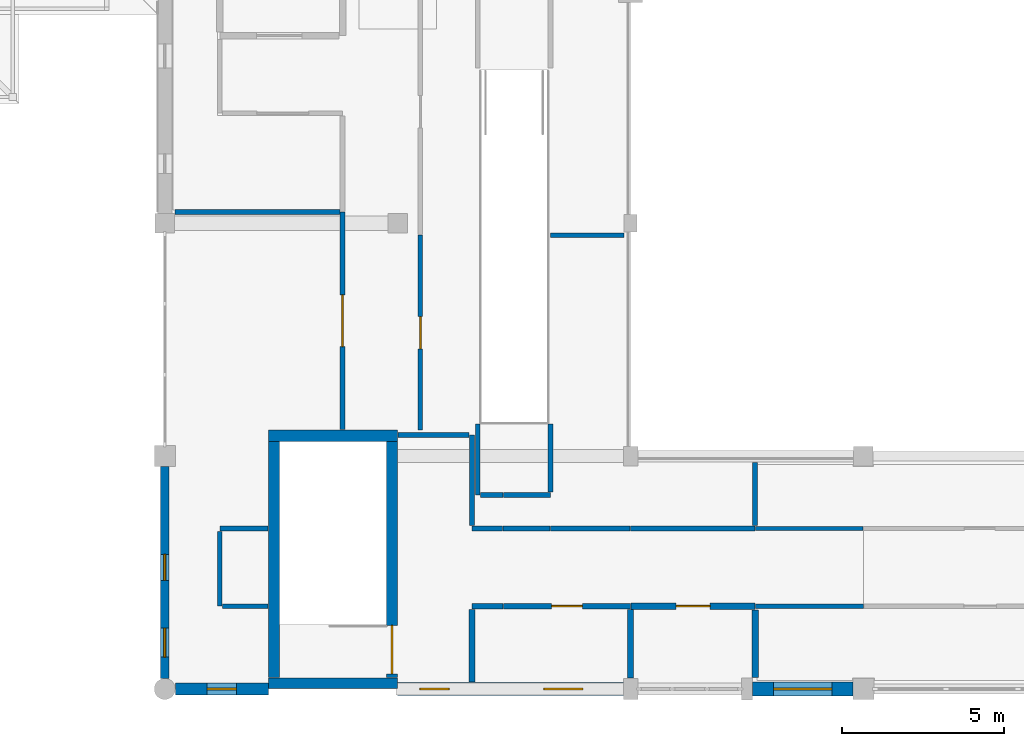
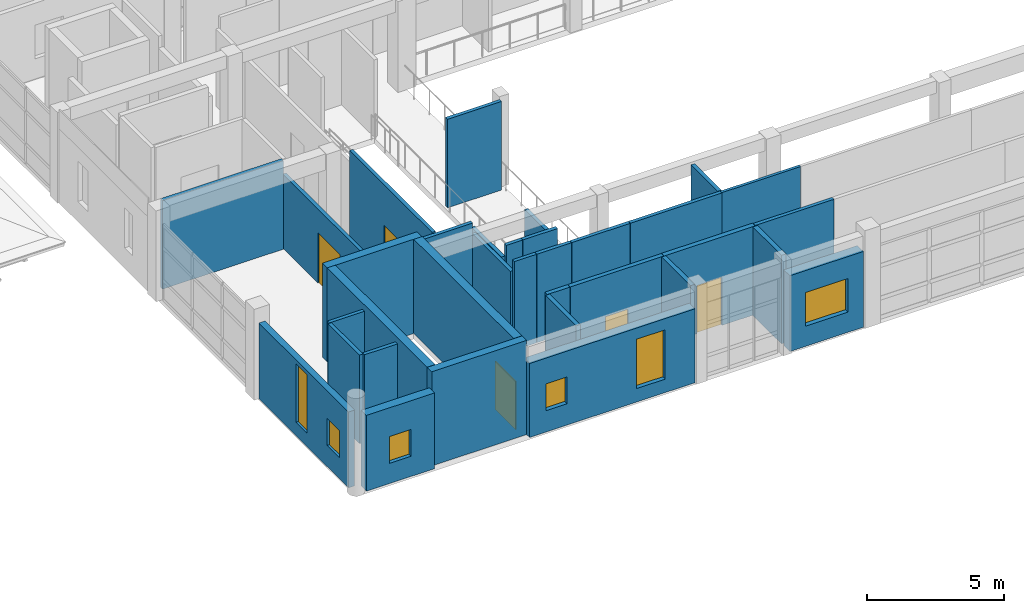
# One storey, part 73 of 110: 34 walls, 6 windows, 5 doors, 11 openings.
"""IFC4 building model written with IfcOpenShell, lengths in metres."""

from ifc_helpers import new_model, si_unit, direction, frame, frame_2d, origin, place, context, subcontext, project, spatial, rectangle, extrude, material, layer, layer_set, type_object, element, fill, save


model = new_model("IFC4")

# Units and contexts
model_context = context("Model", 3, precision=1e-05, world=origin(), true_north=direction((0.0, 1.0)))
body_context = subcontext(model_context, "Body", "Model", "MODEL_VIEW")
ifc_project = project(units=[si_unit("LENGTHUNIT", "METRE"), si_unit("AREAUNIT", "SQUARE_METRE"), si_unit("VOLUMEUNIT", "CUBIC_METRE"), si_unit("PLANEANGLEUNIT", "RADIAN"), si_unit("MASSUNIT", "GRAM", prefix="KILO")], contexts=[model_context])

# Site, building, storey
site_placement = place(None, origin())
site = spatial("IfcSite", under=ifc_project, at=site_placement, CompositionType="ELEMENT")
building_placement = place(site_placement, origin())
building = spatial("IfcBuilding", under=site, at=building_placement, Name="Steenspoor Specialist Clinic", CompositionType="ELEMENT")
storey_placement = place(building_placement, frame((0.0, 0.0, 4.800048828125)))
storey = spatial("IfcBuildingStorey", under=building, at=storey_placement, Name="L01", CompositionType="ELEMENT", Elevation=4.800048828125)

# Wall, opening, window
ifc_material_1 = material(Name="Extruded clay brick masonry", Category="masonry")
ifc_layer_1 = layer(ifc_material_1, 0.3798828125)
ifc_layer_set_1 = layer_set([ifc_layer_1], Name="Extruded clay brick masonry")
wall_type_1 = type_object("IfcWallType", Name="W-BRICK-380", PredefinedType="USERDEFINED", material=ifc_layer_set_1)
wall_1_placement = place(storey_placement, frame((48.39990234375, 13.050048828125, 0.0), z_axis=(0.0, 0.0, 1.0), x_axis=(-1.0, 0.0, 0.0)))
wall_1 = element("IfcWall", 1, at=wall_1_placement, inside=storey, type_object=wall_type_1, Name="Exterior Brick Wall EW-V1-L01-0025", ObjectType="CAVITY VENEER", PredefinedType="USERDEFINED", context=body_context, shape_type="SweptSolid", body=[
    extrude(rectangle(XDim=2.875, YDim=0.3798828125, at=frame_2d((1.4375, 0.0))), origin(), (0.0, 0.0, 1.0), 3.3798828125),
])
opening_1_placement = place(wall_1_placement, frame((0.987548828125, 0.0, 0.89990234375)))
opening_1 = element("IfcOpeningElement", 2, at=opening_1_placement, cuts=wall_1, Name="Opening WN-21", PredefinedType="OPENING", context=body_context, shape_type="SweptSolid", body=[
    extrude(rectangle(XDim=0.89990234375, YDim=1.199951171875, at=frame_2d((0.449951171875, 0.60009765625))), frame((0.0, 0.199951171875, 0.0), z_axis=(0.0, -1.0, 0.0), x_axis=(1.0, 0.0, 0.0)), (0.0, 0.0, 1.0), 0.39990234375),
])
ifc_material_2 = material(Name="Thermally broken aluminium and low-emissivity glass", Category="aluminium")
window_type_1 = type_object("IfcWindowType", Name="WN-EXT-090X120", PartitioningType="SINGLE_PANEL", PredefinedType="WINDOW", material=ifc_material_2)
window_1_placement = place(opening_1_placement, origin())
window_1 = element("IfcWindow", 3, at=window_1_placement, inside=storey, type_object=window_type_1, Name="Window 0029", OverallHeight=1.199951171875, OverallWidth=0.89990234375, PartitioningType="SINGLE_PANEL", PredefinedType="WINDOW", context=body_context, shape_type="SweptSolid", body=[
    extrude(rectangle(XDim=0.89990234375, YDim=1.199951171875, at=frame_2d((0.449951171875, 0.60009765625))), frame((0.0, 0.030029296875, 0.0), z_axis=(0.0, -1.0, 0.0), x_axis=(1.0, 0.0, 0.0)), (0.0, 0.0, 1.0), 0.06005859375),
])
fill(opening_1, window_1)

# Wall, openings, windows
ifc_layer_2 = layer(ifc_material_1, 0.409912109375)
ifc_layer_set_2 = layer_set([ifc_layer_2], Name="Extruded clay brick masonry")
wall_type_2 = type_object("IfcWallType", Name="W-BRICK-410", PredefinedType="USERDEFINED", material=ifc_layer_set_2)
wall_2_placement = place(storey_placement, frame((59.375, 13.050048828125, 0.0), z_axis=(0.0, 0.0, 1.0), x_axis=(-1.0, 0.0, 0.0)))
wall_2 = element("IfcWall", 4, at=wall_2_placement, inside=storey, type_object=wall_type_2, Name="Exterior Brick Wall EW-V1-L01-0024", ObjectType="CAVITY VENEER", PredefinedType="USERDEFINED", context=body_context, shape_type="SweptSolid", body=[
    extrude(rectangle(XDim=6.97509765625, YDim=0.409912109375, at=frame_2d((3.487548828125, 0.0))), origin(), (0.0, 0.0, 1.0), 3.300048828125),
])
opening_2_placement = place(wall_2_placement, frame((1.25244140625, 0.0, 0.60009765625)))
opening_2 = element("IfcOpeningElement", 5, at=opening_2_placement, cuts=wall_2, Name="Opening WN-15", PredefinedType="OPENING", context=body_context, shape_type="SweptSolid", body=[
    extrude(rectangle(XDim=1.199951171875, YDim=2.199951171875, at=frame_2d((0.60009765625, 1.10009765625))), frame((0.0, 0.21484375, 0.0), z_axis=(0.0, -1.0, 0.0), x_axis=(1.0, 0.0, 0.0)), (0.0, 0.0, 1.0), 0.429931640625),
])
opening_3_placement = place(wall_2_placement, frame((5.385009765625, 0.0, 0.949951171875)))
opening_3 = element("IfcOpeningElement", 6, at=opening_3_placement, cuts=wall_2, Name="Opening WN-21", PredefinedType="OPENING", context=body_context, shape_type="SweptSolid", body=[
    extrude(rectangle(XDim=0.89990234375, YDim=1.199951171875, at=frame_2d((0.449951171875, 0.60009765625))), frame((0.0, 0.21484375, 0.0), z_axis=(0.0, -1.0, 0.0), x_axis=(1.0, 0.0, 0.0)), (0.0, 0.0, 1.0), 0.429931640625),
])
window_2_placement = place(opening_3_placement, origin())
window_2 = element("IfcWindow", 7, at=window_2_placement, inside=storey, type_object=window_type_1, Name="Window 0028", OverallHeight=1.199951171875, OverallWidth=0.89990234375, PartitioningType="SINGLE_PANEL", PredefinedType="WINDOW", context=body_context, shape_type="SweptSolid", body=[
    extrude(rectangle(XDim=0.89990234375, YDim=1.199951171875, at=frame_2d((0.449951171875, 0.60009765625))), frame((0.0, 0.030029296875, 0.0), z_axis=(0.0, -1.0, 0.0), x_axis=(1.0, 0.0, 0.0)), (0.0, 0.0, 1.0), 0.06005859375),
])
fill(opening_3, window_2)
window_type_2 = type_object("IfcWindowType", Name="WN-EXT-120X220", PartitioningType="SINGLE_PANEL", PredefinedType="WINDOW", material=ifc_material_2)
window_3_placement = place(opening_2_placement, origin())
window_3 = element("IfcWindow", 8, at=window_3_placement, inside=storey, type_object=window_type_2, Name="Window 0027", OverallHeight=2.199951171875, OverallWidth=1.199951171875, PartitioningType="SINGLE_PANEL", PredefinedType="WINDOW", context=body_context, shape_type="SweptSolid", body=[
    extrude(rectangle(XDim=1.199951171875, YDim=2.199951171875, at=frame_2d((0.60009765625, 1.10009765625))), frame((0.0, 0.030029296875, 0.0), z_axis=(0.0, -1.0, 0.0), x_axis=(1.0, 0.0, 0.0)), (0.0, 0.0, 1.0), 0.06005859375),
])
fill(opening_2, window_3)

# Wall, opening, window
ifc_layer_3 = layer(ifc_material_1, 0.43994140625)
ifc_layer_set_3 = layer_set([ifc_layer_3], Name="Extruded clay brick masonry")
wall_type_3 = type_object("IfcWallType", Name="W-BRICK-440", PredefinedType="USERDEFINED", material=ifc_layer_set_3)
wall_3_placement = place(storey_placement, frame((66.47509765625, 13.050048828125, 0.0), z_axis=(0.0, 0.0, 1.0), x_axis=(-1.0, 0.0, 0.0)))
wall_3 = element("IfcWall", 9, at=wall_3_placement, inside=storey, type_object=wall_type_3, Name="Exterior Brick Wall EW-V1-L01-0023", ObjectType="CAVITY VENEER", PredefinedType="USERDEFINED", context=body_context, shape_type="SweptSolid", body=[
    extrude(rectangle(XDim=3.10498046875, YDim=0.43994140625, at=frame_2d((1.552490234375, 0.0))), origin(), (0.0, 0.0, 1.0), 3.3798828125),
])
opening_4_placement = place(wall_3_placement, frame((0.652587890625, 0.0, 0.89990234375)))
opening_4 = element("IfcOpeningElement", 10, at=opening_4_placement, cuts=wall_3, Name="Opening WN-13", PredefinedType="OPENING", context=body_context, shape_type="SweptSolid", body=[
    extrude(rectangle(XDim=1.800048828125, YDim=1.5, at=frame_2d((0.89990234375, 0.75))), frame((0.0, 0.22998046875, 0.0), z_axis=(0.0, -1.0, 0.0), x_axis=(1.0, 0.0, 0.0)), (0.0, 0.0, 1.0), 0.4599609375),
])
window_type_3 = type_object("IfcWindowType", Name="WN-EXT-180X150", PartitioningType="SINGLE_PANEL", PredefinedType="WINDOW", material=ifc_material_2)
window_4_placement = place(opening_4_placement, origin())
window_4 = element("IfcWindow", 11, at=window_4_placement, inside=storey, type_object=window_type_3, Name="Window 0026", OverallHeight=1.5, OverallWidth=1.800048828125, PartitioningType="SINGLE_PANEL", PredefinedType="WINDOW", context=body_context, shape_type="SweptSolid", body=[
    extrude(rectangle(XDim=1.800048828125, YDim=1.5, at=frame_2d((0.89990234375, 0.75))), frame((0.0, 0.030029296875, 0.0), z_axis=(0.0, -1.0, 0.0), x_axis=(1.0, 0.0, 0.0)), (0.0, 0.0, 1.0), 0.06005859375),
])
fill(opening_4, window_4)

# Wall, opening, door
ifc_material_3 = material(Name="Gypsum acoustic clinical partition", Category="gypsum")
ifc_layer_4 = layer(ifc_material_3, 0.14990234375)
ifc_layer_set_4 = layer_set([ifc_layer_4], Name="Gypsum acoustic clinical partition")
wall_type_4 = type_object("IfcWallType", Name="W-CLIN-150", PredefinedType="PARTITIONING", material=ifc_layer_set_4)
wall_4_placement = place(storey_placement, frame((50.699951171875, 21.06494140625, 0.0), z_axis=(0.0, 0.0, 1.0), x_axis=(0.0, 1.0, 0.0)))
wall_4 = element("IfcWall", 12, at=wall_4_placement, inside=storey, type_object=wall_type_4, Name="Interior Partition IW-V1-L01-0798", PredefinedType="PARTITIONING", context=body_context, shape_type="SweptSolid", body=[
    extrude(rectangle(XDim=6.735107421875, YDim=0.14990234375, at=frame_2d((3.36767578125, 0.0))), origin(), (0.0, 0.0, 1.0), 3.300048828125),
])
opening_5_placement = place(wall_4_placement, frame((2.5673828125, 0.0, 0.0)))
opening_5 = element("IfcOpeningElement", 13, at=opening_5_placement, cuts=wall_4, Name="Opening D0050", PredefinedType="OPENING", context=body_context, shape_type="SweptSolid", body=[
    extrude(rectangle(XDim=1.60009765625, YDim=2.25, at=frame_2d((0.800048828125, 1.125))), frame((0.0, 0.0849609375, 0.0), z_axis=(0.0, -1.0, 0.0), x_axis=(1.0, 0.0, 0.0)), (0.0, 0.0, 1.0), 0.169921875),
])
ifc_material_4 = material(Name="Hygienic HPL clinical timber door", Category="wood")
door_type_1 = type_object("IfcDoorType", Name="DT-PROC-160X225", OperationType="NOTDEFINED", PredefinedType="DOOR", material=ifc_material_4)
door_1_placement = place(opening_5_placement, origin())
door_1 = element("IfcDoor", 14, at=door_1_placement, inside=storey, type_object=door_type_1, Name="Clinical Door D0050", OperationType="SINGLE_SWING_LEFT", OverallHeight=2.25, OverallWidth=1.60009765625, PredefinedType="DOOR", context=body_context, shape_type="SweptSolid", body=[
    extrude(rectangle(XDim=1.60009765625, YDim=2.25, at=frame_2d((0.800048828125, 1.125))), frame((0.0, 0.02490234375, 0.0), z_axis=(0.0, -1.0, 0.0), x_axis=(1.0, 0.0, 0.0)), (0.0, 0.0, 1.0), 0.050048828125),
])
fill(opening_5, door_1)

# Walls
wall_5_placement = place(storey_placement, frame((63.465087890625, 15.610107421875, 0.0), z_axis=(0.0, 0.0, 1.0), x_axis=(1.0, 0.0, 0.0)))
element("IfcWall", 15, at=wall_5_placement, inside=storey, type_object=wall_type_4, Name="Interior Partition IW-V1-L01-0828", PredefinedType="PARTITIONING", context=body_context, shape_type="SweptSolid", body=[
    extrude(rectangle(XDim=3.3349609375, YDim=0.14990234375, at=frame_2d((1.66748046875, 0.0))), origin(), (0.0, 0.0, 1.0), 3.949951171875),
])
wall_6_placement = place(storey_placement, frame((54.875, 19.050048828125, 0.0), z_axis=(0.0, 0.0, 1.0), x_axis=(0.0, 1.0, 0.0)))
element("IfcWall", 16, at=wall_6_placement, inside=storey, type_object=wall_type_4, Name="Interior Partition IW-V1-L01-0832", PredefinedType="PARTITIONING", context=body_context, shape_type="SweptSolid", body=[
    extrude(rectangle(XDim=2.199951171875, YDim=0.14990234375, at=frame_2d((1.10009765625, 0.0))), origin(), (0.0, 0.0, 1.0), 3.43994140625),
])
wall_7_placement = place(storey_placement, frame((59.60009765625, 18.010009765625, 0.0), z_axis=(0.0, 0.0, 1.0), x_axis=(1.0, 0.0, 0.0)))
element("IfcWall", 17, at=wall_7_placement, inside=storey, type_object=wall_type_4, Name="Interior Partition IW-V1-L01-0833", PredefinedType="PARTITIONING", context=body_context, shape_type="SweptSolid", body=[
    extrude(rectangle(XDim=3.849853515625, YDim=0.14990234375, at=frame_2d((1.9248046875, 0.0))), origin(), (0.0, 0.0, 1.0), 3.949951171875),
])
wall_8_placement = place(storey_placement, frame((57.125, 18.010009765625, 0.0), z_axis=(0.0, 0.0, 1.0), x_axis=(1.0, 0.0, 0.0)))
element("IfcWall", 18, at=wall_8_placement, inside=storey, type_object=wall_type_4, Name="Interior Partition IW-V1-L01-0834", PredefinedType="PARTITIONING", context=body_context, shape_type="SweptSolid", body=[
    extrude(rectangle(XDim=2.4599609375, YDim=0.14990234375, at=frame_2d((1.22998046875, 0.0))), origin(), (0.0, 0.0, 1.0), 3.949951171875),
])
wall_9_placement = place(storey_placement, frame((55.64990234375, 18.010009765625, 0.0), z_axis=(0.0, 0.0, 1.0), x_axis=(1.0, 0.0, 0.0)))
element("IfcWall", 19, at=wall_9_placement, inside=storey, type_object=wall_type_4, Name="Interior Partition IW-V1-L01-0835", PredefinedType="PARTITIONING", context=body_context, shape_type="SweptSolid", body=[
    extrude(rectangle(XDim=1.460205078125, YDim=0.14990234375, at=frame_2d((0.72998046875, 0.0))), origin(), (0.0, 0.0, 1.0), 3.949951171875),
])
wall_10_placement = place(storey_placement, frame((54.699951171875, 18.010009765625, 0.0), z_axis=(0.0, 0.0, 1.0), x_axis=(1.0, 0.0, 0.0)))
element("IfcWall", 20, at=wall_10_placement, inside=storey, type_object=wall_type_4, Name="Interior Partition IW-V1-L01-0836", PredefinedType="PARTITIONING", context=body_context, shape_type="SweptSolid", body=[
    extrude(rectangle(XDim=0.93505859375, YDim=0.14990234375, at=frame_2d((0.467529296875, 0.0))), origin(), (0.0, 0.0, 1.0), 3.949951171875),
])
wall_11_placement = place(storey_placement, frame((54.699951171875, 18.10009765625, 0.0), z_axis=(0.0, 0.0, 1.0), x_axis=(0.0, 1.0, 0.0)))
element("IfcWall", 21, at=wall_11_placement, inside=storey, type_object=wall_type_4, Name="Interior Partition IW-V1-L01-0837", PredefinedType="PARTITIONING", context=body_context, shape_type="SweptSolid", body=[
    extrude(rectangle(XDim=2.7998046875, YDim=0.14990234375, at=frame_2d((1.39990234375, 0.0))), origin(), (0.0, 0.0, 1.0), 3.43994140625),
])
wall_12_placement = place(storey_placement, frame((52.4150390625, 20.89990234375, 0.0), z_axis=(0.0, 0.0, 1.0), x_axis=(1.0, 0.0, 0.0)))
element("IfcWall", 22, at=wall_12_placement, inside=storey, type_object=wall_type_4, Name="Interior Partition IW-V1-L01-0838", PredefinedType="PARTITIONING", context=body_context, shape_type="SweptSolid", body=[
    extrude(rectangle(XDim=2.195068359375, YDim=0.14990234375, at=frame_2d((1.09765625, 0.0))), origin(), (0.0, 0.0, 1.0), 3.949951171875),
])

# Wall, opening, door
wall_13_placement = place(storey_placement, frame((53.10009765625, 21.050048828125, 0.0), z_axis=(0.0, 0.0, 1.0), x_axis=(0.0, 1.0, 0.0)))
wall_13 = element("IfcWall", 23, at=wall_13_placement, inside=storey, type_object=wall_type_4, Name="Interior Partition IW-V1-L01-0839", PredefinedType="PARTITIONING", context=body_context, shape_type="SweptSolid", body=[
    extrude(rectangle(XDim=6.030029296875, YDim=0.14990234375, at=frame_2d((3.01513671875, 0.0))), origin(), (0.0, 0.0, 1.0), 3.949951171875),
])
opening_6_placement = place(wall_13_placement, frame((2.514892578125, 0.0, 0.0)))
opening_6 = element("IfcOpeningElement", 24, at=opening_6_placement, cuts=wall_13, Name="Opening D0059", PredefinedType="OPENING", context=body_context, shape_type="SweptSolid", body=[
    extrude(rectangle(XDim=1.0, YDim=2.14990234375, at=frame_2d((0.5, 1.074951171875))), frame((0.0, 0.0849609375, 0.0), z_axis=(0.0, -1.0, 0.0), x_axis=(1.0, 0.0, 0.0)), (0.0, 0.0, 1.0), 0.169921875),
])
ifc_material_5 = material(Name="Moisture-resistant HPL accessible WC door", Category="wood")
door_type_2 = type_object("IfcDoorType", Name="DT-AWC-100X215", OperationType="NOTDEFINED", PredefinedType="DOOR", material=ifc_material_5)
door_2_placement = place(opening_6_placement, origin())
door_2 = element("IfcDoor", 25, at=door_2_placement, inside=storey, type_object=door_type_2, Name="Clinical Door D0059", OperationType="SINGLE_SWING_RIGHT", OverallHeight=2.14990234375, OverallWidth=1.0, PredefinedType="DOOR", context=body_context, shape_type="SweptSolid", body=[
    extrude(rectangle(XDim=1.0, YDim=2.14990234375, at=frame_2d((0.5, 1.074951171875))), frame((0.0, 0.02490234375, 0.0), z_axis=(0.0, -1.0, 0.0), x_axis=(1.0, 0.0, 0.0)), (0.0, 0.0, 1.0), 0.050048828125),
])
fill(opening_6, door_2)

# Walls
wall_14_placement = place(storey_placement, frame((45.514892578125, 27.800048828125, 0.0), z_axis=(0.0, 0.0, 1.0), x_axis=(1.0, 0.0, 0.0)))
element("IfcWall", 26, at=wall_14_placement, inside=storey, type_object=wall_type_4, Name="Interior Partition IW-V1-L01-1130", PredefinedType="PARTITIONING", context=body_context, shape_type="SweptSolid", body=[
    extrude(rectangle(XDim=5.09521484375, YDim=0.14990234375, at=frame_2d((2.547607421875, 0.0))), origin(), (0.0, 0.0, 1.0), 3.949951171875),
])
wall_15_placement = place(storey_placement, frame((46.89990234375, 18.010009765625, 0.0), z_axis=(0.0, 0.0, 1.0), x_axis=(1.0, 0.0, 0.0)))
element("IfcWall", 27, at=wall_15_placement, inside=storey, type_object=wall_type_4, Name="Interior Partition IW-V1-L01-1131", PredefinedType="PARTITIONING", context=body_context, shape_type="SweptSolid", body=[
    extrude(rectangle(XDim=1.485107421875, YDim=0.14990234375, at=frame_2d((0.74267578125, 0.0))), origin(), (0.0, 0.0, 1.0), 3.949951171875),
])
wall_16_placement = place(storey_placement, frame((46.89990234375, 15.610107421875, 0.0), z_axis=(0.0, 0.0, 1.0), x_axis=(0.0, 1.0, 0.0)))
element("IfcWall", 28, at=wall_16_placement, inside=storey, type_object=wall_type_4, Name="Interior Partition IW-V1-L01-1132", PredefinedType="PARTITIONING", context=body_context, shape_type="SweptSolid", body=[
    extrude(rectangle(XDim=2.309814453125, YDim=0.14990234375, at=frame_2d((1.15478515625, 0.0))), origin(), (0.0, 0.0, 1.0), 3.949951171875),
])
wall_17_placement = place(storey_placement, frame((46.989990234375, 15.610107421875, 0.0), z_axis=(0.0, 0.0, 1.0), x_axis=(1.0, 0.0, 0.0)))
element("IfcWall", 29, at=wall_17_placement, inside=storey, type_object=wall_type_4, Name="Interior Partition IW-V1-L01-1133", PredefinedType="PARTITIONING", context=body_context, shape_type="SweptSolid", body=[
    extrude(rectangle(XDim=1.39501953125, YDim=0.14990234375, at=frame_2d((0.697509765625, 0.0))), origin(), (0.0, 0.0, 1.0), 3.949951171875),
])
wall_18_placement = place(storey_placement, frame((54.965087890625, 19.050048828125, 0.0), z_axis=(0.0, 0.0, 1.0), x_axis=(1.0, 0.0, 0.0)))
element("IfcWall", 30, at=wall_18_placement, inside=storey, type_object=wall_type_4, Name="Interior Partition IW-V1-L01-1152", PredefinedType="PARTITIONING", context=body_context, shape_type="SweptSolid", body=[
    extrude(rectangle(XDim=0.684814453125, YDim=0.14990234375, at=frame_2d((0.34228515625, 0.0))), origin(), (0.0, 0.0, 1.0), 3.949951171875),
])
wall_19_placement = place(storey_placement, frame((55.6650390625, 19.050048828125, 0.0), z_axis=(0.0, 0.0, 1.0), x_axis=(1.0, 0.0, 0.0)))
element("IfcWall", 31, at=wall_19_placement, inside=storey, type_object=wall_type_4, Name="Interior Partition IW-V1-L01-1153", PredefinedType="PARTITIONING", context=body_context, shape_type="SweptSolid", body=[
    extrude(rectangle(XDim=1.4599609375, YDim=0.14990234375, at=frame_2d((0.72998046875, 0.0))), origin(), (0.0, 0.0, 1.0), 3.949951171875),
])
wall_20_placement = place(storey_placement, frame((57.125, 19.139892578125, 0.0), z_axis=(0.0, 0.0, 1.0), x_axis=(0.0, 1.0, 0.0)))
element("IfcWall", 32, at=wall_20_placement, inside=storey, type_object=wall_type_4, Name="Interior Partition IW-V1-L01-1154", PredefinedType="PARTITIONING", context=body_context, shape_type="SweptSolid", body=[
    extrude(rectangle(XDim=2.110107421875, YDim=0.14990234375, at=frame_2d((1.05517578125, 0.0))), origin(), (0.0, 0.0, 1.0), 3.43994140625),
])
wall_21_placement = place(storey_placement, frame((57.125, 27.080078125, 0.0), z_axis=(0.0, 0.0, 1.0), x_axis=(1.0, 0.0, 0.0)))
element("IfcWall", 33, at=wall_21_placement, inside=storey, type_object=wall_type_4, Name="Interior Partition IW-V1-L01-1155", PredefinedType="PARTITIONING", context=body_context, shape_type="SweptSolid", body=[
    extrude(rectangle(XDim=2.27490234375, YDim=0.14990234375, at=frame_2d((1.137451171875, 0.0))), origin(), (0.0, 0.0, 1.0), 3.949951171875),
])
wall_22_placement = place(storey_placement, frame((63.449951171875, 18.10009765625, 0.0), z_axis=(0.0, 0.0, 1.0), x_axis=(0.0, 1.0, 0.0)))
element("IfcWall", 34, at=wall_22_placement, inside=storey, type_object=wall_type_4, Name="Interior Partition IW-V1-L01-1156", PredefinedType="PARTITIONING", context=body_context, shape_type="SweptSolid", body=[
    extrude(rectangle(XDim=1.949951171875, YDim=0.14990234375, at=frame_2d((0.97509765625, 0.0))), origin(), (0.0, 0.0, 1.0), 3.949951171875),
])
ifc_material_6 = material(Name="Concrete C40/50", Category="concrete")
ifc_layer_5 = layer(ifc_material_6, 0.330078125)
ifc_layer_set_5 = layer_set([ifc_layer_5], Name="Concrete C40/50")
wall_type_5 = type_object("IfcWallType", Name="W-ESW-330", PredefinedType="SHEAR", material=ifc_layer_set_5)
wall_23_placement = place(storey_placement, frame((48.39990234375, 13.22509765625, 0.0), z_axis=(0.0, 0.0, 1.0), x_axis=(1.0, 0.0, 0.0)))
element("IfcWall", 35, at=wall_23_placement, inside=storey, type_object=wall_type_5, Name="Core Shear Wall SW-ST-V1A-L01-S", PredefinedType="SHEAR", context=body_context, shape_type="SweptSolid", body=[
    extrude(rectangle(XDim=4.0, YDim=0.330078125, at=frame_2d((2.0, 0.0))), origin(), (0.0, 0.0, 1.0), 4.199951171875),
])
ifc_material_7 = material(Name="Gypsum studio partition board", Category="gypsum")
ifc_layer_6 = layer(ifc_material_7, 0.1201171875)
ifc_layer_set_6 = layer_set([ifc_layer_6], Name="Gypsum studio partition board")
wall_type_6 = type_object("IfcWallType", Name="W-PART-120", PredefinedType="PARTITIONING", material=ifc_layer_set_6)
wall_24_placement = place(storey_placement, frame((63.465087890625, 18.010009765625, 0.0), z_axis=(0.0, 0.0, 1.0), x_axis=(1.0, 0.0, 0.0)))
element("IfcWall", 36, at=wall_24_placement, inside=storey, type_object=wall_type_6, Name="Interior Partition IW-V1-L01-0944", PredefinedType="PARTITIONING", context=body_context, shape_type="SweptSolid", body=[
    extrude(rectangle(XDim=3.31982421875, YDim=0.1201171875, at=frame_2d((1.659912109375, 0.0))), origin(), (0.0, 0.0, 1.0), 3.949951171875),
])
ifc_material_8 = material(Name="Moisture-resistant gypsum plumbing wall", Category="gypsum")
ifc_layer_7 = layer(ifc_material_8, 0.179931640625)
ifc_layer_set_7 = layer_set([ifc_layer_7], Name="Moisture-resistant gypsum plumbing wall")
wall_type_7 = type_object("IfcWallType", Name="W-PLUMB-180", PredefinedType="PLUMBINGWALL", material=ifc_layer_set_7)
wall_25_placement = place(storey_placement, frame((54.699951171875, 15.610107421875, 0.0), z_axis=(0.0, 0.0, 1.0), x_axis=(1.0, 0.0, 0.0)))
element("IfcWall", 37, at=wall_25_placement, inside=storey, type_object=wall_type_7, Name="Interior Partition IW-V1-L01-0735", PredefinedType="PLUMBINGWALL", context=body_context, shape_type="SweptSolid", body=[
    extrude(rectangle(XDim=0.949951171875, YDim=0.179931640625, at=frame_2d((0.47509765625, 0.0))), origin(), (0.0, 0.0, 1.0), 3.949951171875),
])

# Wall, opening, door
wall_26_placement = place(storey_placement, frame((55.6650390625, 15.610107421875, 0.0), z_axis=(0.0, 0.0, 1.0), x_axis=(1.0, 0.0, 0.0)))
wall_26 = element("IfcWall", 38, at=wall_26_placement, inside=storey, type_object=wall_type_7, Name="Interior Partition IW-V1-L01-0736", PredefinedType="PLUMBINGWALL", context=body_context, shape_type="SweptSolid", body=[
    extrude(rectangle(XDim=3.93505859375, YDim=0.179931640625, at=frame_2d((1.967529296875, 0.0))), origin(), (0.0, 0.0, 1.0), 3.949951171875),
])
opening_7_placement = place(wall_26_placement, frame((1.492431640625, 0.0, 0.0)))
opening_7 = element("IfcOpeningElement", 39, at=opening_7_placement, cuts=wall_26, Name="Opening D0051", PredefinedType="OPENING", context=body_context, shape_type="SweptSolid", body=[
    extrude(rectangle(XDim=0.949951171875, YDim=2.10009765625, at=frame_2d((0.47509765625, 1.050048828125))), frame((0.0, 0.10009765625, 0.0), z_axis=(0.0, -1.0, 0.0), x_axis=(1.0, 0.0, 0.0)), (0.0, 0.0, 1.0), 0.199951171875),
])
ifc_material_9 = material(Name="Moisture-resistant HPL sanitary door", Category="wood")
door_type_3 = type_object("IfcDoorType", Name="DT-WC-095X210", OperationType="NOTDEFINED", PredefinedType="DOOR", material=ifc_material_9)
door_3_placement = place(opening_7_placement, origin())
door_3 = element("IfcDoor", 40, at=door_3_placement, inside=storey, type_object=door_type_3, Name="Clinical Door D0051", OperationType="SINGLE_SWING_RIGHT", OverallHeight=2.10009765625, OverallWidth=0.949951171875, PredefinedType="DOOR", context=body_context, shape_type="SweptSolid", body=[
    extrude(rectangle(XDim=0.949951171875, YDim=2.10009765625, at=frame_2d((0.47509765625, 1.050048828125))), frame((0.0, 0.02490234375, 0.0), z_axis=(0.0, -1.0, 0.0), x_axis=(1.0, 0.0, 0.0)), (0.0, 0.0, 1.0), 0.050048828125),
])
fill(opening_7, door_3)

# Walls
wall_27_placement = place(storey_placement, frame((54.699951171875, 13.27001953125, 0.0), z_axis=(0.0, 0.0, 1.0), x_axis=(0.0, 1.0, 0.0)))
element("IfcWall", 41, at=wall_27_placement, inside=storey, type_object=wall_type_7, Name="Interior Partition IW-V1-L01-0737", PredefinedType="PLUMBINGWALL", context=body_context, shape_type="SweptSolid", body=[
    extrude(rectangle(XDim=2.23486328125, YDim=0.179931640625, at=frame_2d((1.117431640625, 0.0))), origin(), (0.0, 0.0, 1.0), 3.949951171875),
])
wall_28_placement = place(storey_placement, frame((59.60009765625, 13.389892578125, 0.0), z_axis=(0.0, 0.0, 1.0), x_axis=(0.0, 1.0, 0.0)))
element("IfcWall", 42, at=wall_28_placement, inside=storey, type_object=wall_type_7, Name="Interior Partition IW-V1-L01-1071", PredefinedType="PLUMBINGWALL", context=body_context, shape_type="SweptSolid", body=[
    extrude(rectangle(XDim=2.114990234375, YDim=0.179931640625, at=frame_2d((1.0576171875, 0.0))), origin(), (0.0, 0.0, 1.0), 3.949951171875),
])

# Wall, openings, windows
ifc_layer_8 = layer(ifc_material_1, 0.260009765625)
ifc_layer_set_8 = layer_set([ifc_layer_8], Name="Extruded clay brick masonry")
wall_type_8 = type_object("IfcWallType", Name="W-SCREEN-260", PredefinedType="SOLIDWALL", material=ifc_layer_set_8)
wall_29_placement = place(storey_placement, frame((45.199951171875, 13.375, 0.0), z_axis=(0.0, 0.0, 1.0), x_axis=(0.0, 1.0, 0.0)))
wall_29 = element("IfcWall", 43, at=wall_29_placement, inside=storey, type_object=wall_type_8, Name="Exterior Brick Wall EW-V1-L01-0026", PredefinedType="SOLIDWALL", context=body_context, shape_type="SweptSolid", body=[
    extrude(rectangle(XDim=6.550048828125, YDim=0.260009765625, at=frame_2d((3.27490234375, 0.0))), origin(), (0.0, 0.0, 1.0), 3.3798828125),
])
opening_8_placement = place(wall_29_placement, frame((0.657470703125, 0.0, 0.949951171875)))
opening_8 = element("IfcOpeningElement", 44, at=opening_8_placement, cuts=wall_29, Name="Opening WN-21", PredefinedType="OPENING", context=body_context, shape_type="SweptSolid", body=[
    extrude(rectangle(XDim=0.89990234375, YDim=1.199951171875, at=frame_2d((0.449951171875, 0.60009765625))), frame((0.0, 0.14013671875, 0.0), z_axis=(0.0, -1.0, 0.0), x_axis=(1.0, 0.0, 0.0)), (0.0, 0.0, 1.0), 0.280029296875),
])
opening_9_placement = place(wall_29_placement, frame((3.034912109375, 0.0, 0.60009765625)))
opening_9 = element("IfcOpeningElement", 45, at=opening_9_placement, cuts=wall_29, Name="Opening WN-24", PredefinedType="OPENING", context=body_context, shape_type="SweptSolid", body=[
    extrude(rectangle(XDim=0.800048828125, YDim=2.60009765625, at=frame_2d((0.39990234375, 1.300048828125))), frame((0.0, 0.14013671875, 0.0), z_axis=(0.0, -1.0, 0.0), x_axis=(1.0, 0.0, 0.0)), (0.0, 0.0, 1.0), 0.280029296875),
])
window_type_4 = type_object("IfcWindowType", Name="WN-EXT-080X260", PartitioningType="SINGLE_PANEL", PredefinedType="WINDOW", material=ifc_material_2)
window_5_placement = place(opening_9_placement, origin())
window_5 = element("IfcWindow", 46, at=window_5_placement, inside=storey, type_object=window_type_4, Name="Window 0031", OverallHeight=2.60009765625, OverallWidth=0.800048828125, PartitioningType="SINGLE_PANEL", PredefinedType="WINDOW", context=body_context, shape_type="SweptSolid", body=[
    extrude(rectangle(XDim=0.800048828125, YDim=2.60009765625, at=frame_2d((0.39990234375, 1.300048828125))), frame((0.0, 0.030029296875, 0.0), z_axis=(0.0, -1.0, 0.0), x_axis=(1.0, 0.0, 0.0)), (0.0, 0.0, 1.0), 0.06005859375),
])
fill(opening_9, window_5)
window_6_placement = place(opening_8_placement, origin())
window_6 = element("IfcWindow", 47, at=window_6_placement, inside=storey, type_object=window_type_1, Name="Window 0030", OverallHeight=1.199951171875, OverallWidth=0.89990234375, PartitioningType="SINGLE_PANEL", PredefinedType="WINDOW", context=body_context, shape_type="SweptSolid", body=[
    extrude(rectangle(XDim=0.89990234375, YDim=1.199951171875, at=frame_2d((0.449951171875, 0.60009765625))), frame((0.0, 0.030029296875, 0.0), z_axis=(0.0, -1.0, 0.0), x_axis=(1.0, 0.0, 0.0)), (0.0, 0.0, 1.0), 0.06005859375),
])
fill(opening_8, window_6)

# Wall, opening, door
ifc_material_10 = material(Name="Gypsum acoustic smoke barrier board", Category="gypsum")
ifc_layer_9 = layer(ifc_material_10, 0.199951171875)
ifc_layer_set_9 = layer_set([ifc_layer_9], Name="Gypsum acoustic smoke barrier board")
wall_type_9 = type_object("IfcWallType", Name="W-SMOKE-200", PredefinedType="PARTITIONING", material=ifc_layer_set_9)
wall_30_placement = place(storey_placement, frame((59.614990234375, 15.610107421875, 0.0), z_axis=(0.0, 0.0, 1.0), x_axis=(1.0, 0.0, 0.0)))
wall_30 = element("IfcWall", 48, at=wall_30_placement, inside=storey, type_object=wall_type_9, Name="Interior Partition IW-V1-L01-0794", PredefinedType="PARTITIONING", context=body_context, shape_type="SweptSolid", body=[
    extrude(rectangle(XDim=3.8349609375, YDim=0.199951171875, at=frame_2d((1.91748046875, 0.0))), origin(), (0.0, 0.0, 1.0), 3.949951171875),
])
opening_10_placement = place(wall_30_placement, frame((1.392578125, 0.0, 0.0)))
opening_10 = element("IfcOpeningElement", 49, at=opening_10_placement, cuts=wall_30, Name="Opening D0052", PredefinedType="OPENING", context=body_context, shape_type="SweptSolid", body=[
    extrude(rectangle(XDim=1.050048828125, YDim=2.14990234375, at=frame_2d((0.52490234375, 1.074951171875))), frame((0.0, 0.10986328125, 0.0), z_axis=(0.0, -1.0, 0.0), x_axis=(1.0, 0.0, 0.0)), (0.0, 0.0, 1.0), 0.219970703125),
])
ifc_material_11 = material(Name="Solid-core hardwood office door", Category="wood")
door_type_4 = type_object("IfcDoorType", Name="DT-OFF-105X215", OperationType="NOTDEFINED", PredefinedType="DOOR", material=ifc_material_11)
door_4_placement = place(opening_10_placement, origin())
door_4 = element("IfcDoor", 50, at=door_4_placement, inside=storey, type_object=door_type_4, Name="Clinical Door D0052", OperationType="SINGLE_SWING_LEFT", OverallHeight=2.14990234375, OverallWidth=1.050048828125, PredefinedType="DOOR", context=body_context, shape_type="SweptSolid", body=[
    extrude(rectangle(XDim=1.050048828125, YDim=2.14990234375, at=frame_2d((0.52490234375, 1.074951171875))), frame((0.0, 0.02490234375, 0.0), z_axis=(0.0, -1.0, 0.0), x_axis=(1.0, 0.0, 0.0)), (0.0, 0.0, 1.0), 0.050048828125),
])
fill(opening_10, door_4)

# Walls
wall_31_placement = place(storey_placement, frame((63.449951171875, 13.405029296875, 0.0), z_axis=(0.0, 0.0, 1.0), x_axis=(0.0, 1.0, 0.0)))
element("IfcWall", 51, at=wall_31_placement, inside=storey, type_object=wall_type_9, Name="Interior Partition IW-V1-L01-1126", PredefinedType="PARTITIONING", context=body_context, shape_type="SweptSolid", body=[
    extrude(rectangle(XDim=2.090087890625, YDim=0.199951171875, at=frame_2d((1.044921875, 0.0))), origin(), (0.0, 0.0, 1.0), 3.949951171875),
])
ifc_layer_10 = layer(ifc_material_6, 0.35009765625)
ifc_layer_set_10 = layer_set([ifc_layer_10], Name="Concrete C40/50")
wall_type_10 = type_object("IfcWallType", Name="W-SW-350", PredefinedType="SHEAR", material=ifc_layer_set_10)
wall_32_placement = place(storey_placement, frame((48.39990234375, 20.875, 0.0), z_axis=(0.0, 0.0, 1.0), x_axis=(1.0, 0.0, 0.0)))
element("IfcWall", 52, at=wall_32_placement, inside=storey, type_object=wall_type_10, Name="Core Shear Wall SW-ST-V1A-L01-N", PredefinedType="SHEAR", context=body_context, shape_type="SweptSolid", body=[
    extrude(rectangle(XDim=4.0, YDim=0.35009765625, at=frame_2d((2.0, 0.0))), origin(), (0.0, 0.0, 1.0), 4.199951171875),
])
wall_33_placement = place(storey_placement, frame((48.574951171875, 13.39990234375, 0.0), z_axis=(0.0, 0.0, 1.0), x_axis=(0.0, 1.0, 0.0)))
element("IfcWall", 53, at=wall_33_placement, inside=storey, type_object=wall_type_10, Name="Core Shear Wall SW-ST-V1A-L01-W", PredefinedType="SHEAR", context=body_context, shape_type="SweptSolid", body=[
    extrude(rectangle(XDim=7.300048828125, YDim=0.35009765625, at=frame_2d((3.64990234375, 0.0))), origin(), (0.0, 0.0, 1.0), 4.199951171875),
])

# Wall, opening, door
wall_34_placement = place(storey_placement, frame((52.22509765625, 13.39990234375, 0.0), z_axis=(0.0, 0.0, 1.0), x_axis=(0.0, 1.0, 0.0)))
wall_34 = element("IfcWall", 54, at=wall_34_placement, inside=storey, type_object=wall_type_10, Name="Core Shear Wall SW-ST-V1A-L01-E", PredefinedType="SHEAR", context=body_context, shape_type="SweptSolid", body=[
    extrude(rectangle(XDim=7.300048828125, YDim=0.35009765625, at=frame_2d((3.64990234375, 0.0))), origin(), (0.0, 0.0, 1.0), 4.199951171875),
])
opening_11_placement = place(wall_34_placement, frame((0.1201171875, 0.0, 0.0)))
opening_11 = element("IfcOpeningElement", 55, at=opening_11_placement, cuts=wall_34, Name="Opening SD002", PredefinedType="OPENING", context=body_context, shape_type="SweptSolid", body=[
    extrude(rectangle(XDim=1.5, YDim=2.14990234375, at=frame_2d((0.75, 1.074951171875))), frame((0.0, 0.18505859375, 0.0), z_axis=(0.0, -1.0, 0.0), x_axis=(1.0, 0.0, 0.0)), (0.0, 0.0, 1.0), 0.3701171875),
])
ifc_material_12 = material(Name="Fire-rated steel acoustic door", Category="steel")
door_type_5 = type_object("IfcDoorType", Name="DT-STAIR-150X215", OperationType="NOTDEFINED", PredefinedType="DOOR", material=ifc_material_12)
door_5_placement = place(opening_11_placement, origin())
door_5 = element("IfcDoor", 56, at=door_5_placement, inside=storey, type_object=door_type_5, Name="Exit Stair Fire Door SD002", OperationType="SINGLE_SWING_LEFT", OverallHeight=2.14990234375, OverallWidth=1.5, PredefinedType="DOOR", context=body_context, shape_type="SweptSolid", body=[
    extrude(rectangle(XDim=1.5, YDim=2.14990234375, at=frame_2d((0.75, 1.074951171875))), frame((0.0, 0.02490234375, 0.0), z_axis=(0.0, -1.0, 0.0), x_axis=(1.0, 0.0, 0.0)), (0.0, 0.0, 1.0), 0.050048828125),
])
fill(opening_11, door_5)

save(model, "model.ifc")
